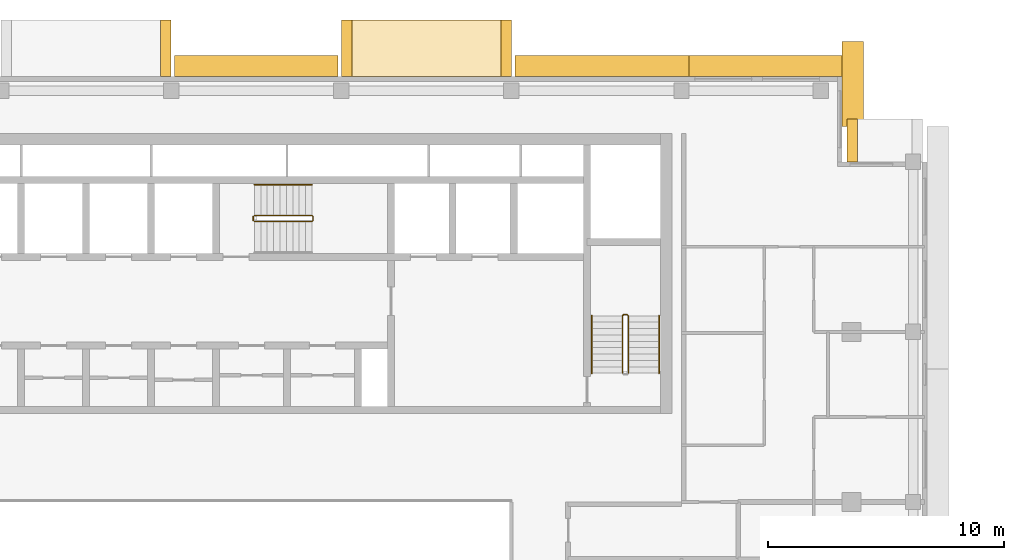
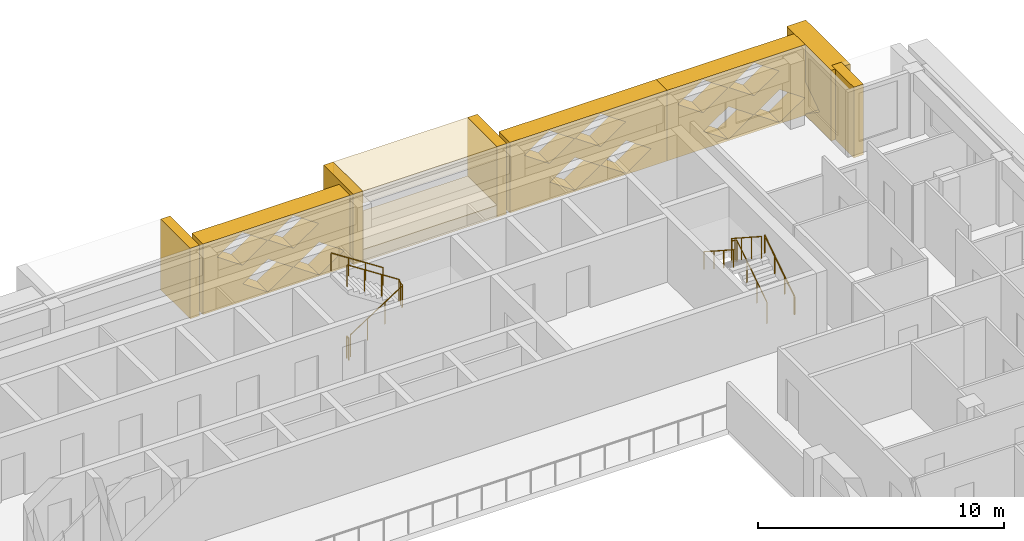
# One storey, part 18 of 19: 10 coverings, 6 railings.
"""IFC4 building model written with IfcOpenShell, lengths in metres."""

from ifc_helpers import new_model, si_unit, direction, frame, origin, origin_2d, place, context, subcontext, project, spatial, polyline, circle, outline, extrude, material, type_object, element, save


model = new_model("IFC4")

# Units and contexts
model_context = context("Model", 3, precision=1e-05, world=origin(), true_north=direction((0.0, 1.0)))
body_context = subcontext(model_context, "Body", "Model", "MODEL_VIEW")
ifc_project = project(units=[si_unit("LENGTHUNIT", "METRE"), si_unit("AREAUNIT", "SQUARE_METRE"), si_unit("VOLUMEUNIT", "CUBIC_METRE"), si_unit("PLANEANGLEUNIT", "RADIAN"), si_unit("MASSUNIT", "GRAM", prefix="KILO")], contexts=[model_context])

# Site, building, storey
site_placement = place(None, origin())
site = spatial("IfcSite", under=ifc_project, at=site_placement, CompositionType="ELEMENT")
building_placement = place(site_placement, origin())
building = spatial("IfcBuilding", under=site, at=building_placement, Name="Saffron Iwan Residences", CompositionType="ELEMENT")
storey_placement = place(building_placement, frame((0.0, 0.0, 232.5)))
storey = spatial("IfcBuildingStorey", under=building, at=storey_placement, Name="L62", CompositionType="ELEMENT", Elevation=232.5)

# Coverings
ifc_material_1 = material(Name="Precast concrete C40/50", Category="concrete")
covering_type_1 = type_object("IfcCoveringType", Name="OUTER SKIN LATTICE SCREEN", PredefinedType="CLADDING", material=ifc_material_1)
covering_1_placement = place(storey_placement, frame((78.800048828125, 78.300048828125, -0.280029296875), z_axis=(1.0, 0.0, 0.0), x_axis=(0.0, 1.0, 0.0)))
element("IfcCovering", 1, at=covering_1_placement, inside=storey, type_object=covering_type_1, Name="OUTER SKIN lattice screen L62 F4.0", PredefinedType="CLADDING", context=body_context, shape_type="SweptSolid", body=[
    extrude(outline(polyline([(0.0, 0.0), (3.60009765625, 0.0), (3.60009765625, 3.5), (0.0, 3.5), (0.0, 0.0)]), holes=[polyline([(0.919921875, 0.875), (2.10009765625, 0.06005859375), (3.280029296875, 0.875), (2.10009765625, 1.68994140625), (0.919921875, 0.875)])]), origin(), (0.0, 0.0, 1.0), 0.89990234375),
])
covering_2_placement = place(storey_placement, frame((79.699951171875, 80.39990234375, -0.280029296875), z_axis=(0.0, 1.0, 0.0), x_axis=(-1.0, 0.0, 0.0)))
element("IfcCovering", 2, at=covering_2_placement, inside=storey, type_object=covering_type_1, Name="OUTER SKIN lattice screen L62 F5.0", PredefinedType="CLADDING", context=body_context, shape_type="SweptSolid", body=[
    extrude(outline(polyline([(0.0, 0.0), (7.375, 0.0), (7.375, 3.5), (0.0, 3.5), (0.0, 0.0)]), holes=[polyline([(0.919921875, 0.875), (2.10009765625, 0.06005859375), (3.280029296875, 0.875), (2.10009765625, 1.68994140625), (0.919921875, 0.875)]), polyline([(3.320068359375, 0.875), (4.5, 0.06005859375), (5.679931640625, 0.875), (4.5, 1.68994140625), (3.320068359375, 0.875)]), polyline([(2.1201171875, 2.625), (3.300048828125, 1.81005859375), (4.47998046875, 2.625), (3.300048828125, 3.43994140625), (2.1201171875, 2.625)]), polyline([(4.52001953125, 2.625), (5.699951171875, 1.81005859375), (6.8798828125, 2.625), (5.699951171875, 3.43994140625), (4.52001953125, 2.625)])]), origin(), (0.0, 0.0, 1.0), 0.900146484375),
])
covering_3_placement = place(storey_placement, frame((72.324951171875, 80.39990234375, -0.280029296875), z_axis=(0.0, 1.0, 0.0), x_axis=(-1.0, 0.0, 0.0)))
element("IfcCovering", 3, at=covering_3_placement, inside=storey, type_object=covering_type_1, Name="OUTER SKIN lattice screen L62 F5.1", PredefinedType="CLADDING", context=body_context, shape_type="SweptSolid", body=[
    extrude(outline(polyline([(0.0, 0.0), (7.375, 0.0), (7.375, 3.5), (0.0, 3.5), (0.0, 0.0)]), holes=[polyline([(0.7451171875, 0.875), (1.925048828125, 0.06005859375), (3.10498046875, 0.875), (1.925048828125, 1.68994140625), (0.7451171875, 0.875)]), polyline([(3.14501953125, 0.875), (4.324951171875, 0.06005859375), (5.5048828125, 0.875), (4.324951171875, 1.68994140625), (3.14501953125, 0.875)]), polyline([(1.945068359375, 2.625), (3.125, 1.81005859375), (4.304931640625, 2.625), (3.125, 3.43994140625), (1.945068359375, 2.625)]), polyline([(4.344970703125, 2.625), (5.52490234375, 1.81005859375), (6.705078125, 2.625), (5.52490234375, 3.43994140625), (4.344970703125, 2.625)])]), origin(), (0.0, 0.0, 1.0), 0.900146484375),
])
covering_4_placement = place(storey_placement, frame((57.449951171875, 80.39990234375, -0.280029296875), z_axis=(0.0, 1.0, 0.0), x_axis=(-1.0, 0.0, 0.0)))
element("IfcCovering", 4, at=covering_4_placement, inside=storey, type_object=covering_type_1, Name="OUTER SKIN lattice screen L62 F5.2", PredefinedType="CLADDING", context=body_context, shape_type="SweptSolid", body=[
    extrude(outline(polyline([(0.0, 0.0), (6.89990234375, 0.0), (6.89990234375, 3.5), (0.0, 3.5), (0.0, 0.0)]), holes=[polyline([(0.27001953125, 0.875), (1.449951171875, 0.06005859375), (2.6298828125, 0.875), (1.449951171875, 1.68994140625), (0.27001953125, 0.875)]), polyline([(2.669921875, 0.875), (3.85009765625, 0.06005859375), (5.030029296875, 0.875), (3.85009765625, 1.68994140625), (2.669921875, 0.875)]), polyline([(1.469970703125, 2.625), (2.64990234375, 1.81005859375), (3.830078125, 2.625), (2.64990234375, 3.43994140625), (1.469970703125, 2.625)]), polyline([(3.8701171875, 2.625), (5.050048828125, 1.81005859375), (6.22998046875, 2.625), (5.050048828125, 3.43994140625), (3.8701171875, 2.625)])]), origin(), (0.0, 0.0, 1.0), 0.900146484375),
])

# Railings
ifc_material_2 = material(Name="Steel S355", Category="steel")
railing_type_1 = type_object("IfcRailingType", Name="Stair guard 1100", PredefinedType="GUARDRAIL", material=ifc_material_2)
railing_1_placement = place(storey_placement, frame((53.925048828125, 74.27490234375, 0.175048828125)))
element("IfcRailing", 5, at=railing_1_placement, inside=storey, type_object=railing_type_1, Name="L62 ST-C stair guard 1", PredefinedType="GUARDRAIL", context=body_context, shape_type="SweptSolid", body=[
    extrude(circle(Radius=0.02392578125, at=origin_2d()), frame((0.0, 0.0, 1.076171875), z_axis=(0.839153699163, 0.0, 0.543894354798), x_axis=(0.0, 1.0, 0.0)), (0.0, 0.0, 1.0), 2.895751953125),
    extrude(circle(Radius=0.02392578125, at=origin_2d()), frame((2.429931640625, 0.0, 2.65087890625), z_axis=(0.707106781187, 0.707106781187, 0.0), x_axis=(-0.707106781187, 0.707106781187, 0.0)), (0.0, 0.0, 1.0), 0.07080078125),
    extrude(circle(Radius=0.02392578125, at=origin_2d()), frame((2.47998046875, 0.050048828125, 2.65087890625), z_axis=(0.0, 1.0, 0.0), x_axis=(-1.0, 0.0, 0.0)), (0.0, 0.0, 1.0), 0.150146484375),
    extrude(circle(Radius=0.02392578125, at=origin_2d()), frame((2.47998046875, 0.2001953125, 2.65087890625), z_axis=(-0.265155923931, 0.263862480399, 0.927399011991), x_axis=(-0.705375805398, -0.708833529934, 0.0)), (0.0, 0.0, 1.0), 0.188720703125),
    extrude(circle(Radius=0.02392578125, at=origin_2d()), frame((2.429931640625, 0.25, 2.826171875), z_axis=(-0.839153699163, 0.0, 0.543894354798), x_axis=(0.0, -1.0, 0.0)), (0.0, 0.0, 1.0), 2.895751953125),
    extrude(circle(Radius=0.02099609375, at=origin_2d()), origin(), (0.0, 0.0, 1.0), 1.052001953125),
    extrude(circle(Radius=0.02099609375, at=origin_2d()), frame((0.81005859375, 0.0, 0.52490234375)), (0.0, 0.0, 1.0), 1.052001953125),
    extrude(circle(Radius=0.02099609375, at=origin_2d()), frame((1.619873046875, 0.0, 1.050048828125)), (0.0, 0.0, 1.0), 1.052001953125),
    extrude(circle(Radius=0.02099609375, at=origin_2d()), frame((2.429931640625, 0.0, 1.574951171875)), (0.0, 0.0, 1.0), 1.052001953125),
    extrude(circle(Radius=0.02099609375, at=origin_2d()), frame((2.47998046875, 0.050048828125, 1.574951171875)), (0.0, 0.0, 1.0), 1.052001953125),
    extrude(circle(Radius=0.02099609375, at=origin_2d()), frame((2.47998046875, 0.2001953125, 1.574951171875)), (0.0, 0.0, 1.0), 1.052001953125),
    extrude(circle(Radius=0.02099609375, at=origin_2d()), frame((2.429931640625, 0.25, 1.75)), (0.0, 0.0, 1.0), 1.052001953125),
    extrude(circle(Radius=0.02099609375, at=origin_2d()), frame((1.619873046875, 0.25, 2.27490234375)), (0.0, 0.0, 1.0), 1.052001953125),
    extrude(circle(Radius=0.02099609375, at=origin_2d()), frame((0.81005859375, 0.25, 2.800048828125)), (0.0, 0.0, 1.0), 1.052001953125),
    extrude(circle(Radius=0.02099609375, at=origin_2d()), frame((0.0, 0.25, 3.324951171875)), (0.0, 0.0, 1.0), 1.052001953125),
])
railing_2_placement = place(storey_placement, frame((53.875, 74.324951171875, 0.0)))
element("IfcRailing", 6, at=railing_2_placement, inside=storey, type_object=railing_type_1, Name="L62 ST-C stair guard 2", PredefinedType="GUARDRAIL", context=body_context, shape_type="SweptSolid", body=[
    extrude(circle(Radius=0.02392578125, at=origin_2d()), frame((0.0, 0.0, 1.076171875), z_axis=(0.0, 1.0, 0.0), x_axis=(-1.0, 0.0, 0.0)), (0.0, 0.0, 1.0), 0.150146484375),
    extrude(circle(Radius=0.02099609375, at=origin_2d()), origin(), (0.0, 0.0, 1.0), 1.052001953125),
    extrude(circle(Radius=0.02099609375, at=origin_2d()), frame((0.0, 0.150146484375, 0.0)), (0.0, 0.0, 1.0), 1.052001953125),
])
railing_3_placement = place(storey_placement, frame((69.75, 67.85009765625, 0.175048828125)))
element("IfcRailing", 7, at=railing_3_placement, inside=storey, type_object=railing_type_1, Name="L62 ST-E stair guard 1", PredefinedType="GUARDRAIL", context=body_context, shape_type="SweptSolid", body=[
    extrude(circle(Radius=0.02392578125, at=origin_2d()), frame((0.0, 0.0, 1.076171875), z_axis=(0.0, 0.839153699163, 0.543894354798), x_axis=(-1.0, 0.0, 0.0)), (0.0, 0.0, 1.0), 2.895751953125),
    extrude(circle(Radius=0.02392578125, at=origin_2d()), frame((0.0, 2.429931640625, 2.65087890625), z_axis=(-0.707106781187, 0.707106781187, 0.0), x_axis=(-0.707106781187, -0.707106781187, 0.0)), (0.0, 0.0, 1.0), 0.07080078125),
    extrude(circle(Radius=0.02392578125, at=origin_2d()), frame((-0.050048828125, 2.47998046875, 2.65087890625), z_axis=(-1.0, 0.0, 0.0), x_axis=(0.0, -1.0, 0.0)), (0.0, 0.0, 1.0), 0.14990234375),
    extrude(circle(Radius=0.02392578125, at=origin_2d()), frame((-0.199951171875, 2.47998046875, 2.65087890625), z_axis=(-0.265065253269, -0.265065253269, 0.927081885822), x_axis=(0.707106781187, -0.707106781187, 0.0)), (0.0, 0.0, 1.0), 0.188720703125),
    extrude(circle(Radius=0.02392578125, at=origin_2d()), frame((-0.25, 2.429931640625, 2.826171875), z_axis=(0.0, -0.839153699163, 0.543894354798), x_axis=(1.0, 0.0, 0.0)), (0.0, 0.0, 1.0), 2.895751953125),
    extrude(circle(Radius=0.02099609375, at=origin_2d()), origin(), (0.0, 0.0, 1.0), 1.052001953125),
    extrude(circle(Radius=0.02099609375, at=origin_2d()), frame((0.0, 0.81005859375, 0.52490234375)), (0.0, 0.0, 1.0), 1.052001953125),
    extrude(circle(Radius=0.02099609375, at=origin_2d()), frame((0.0, 1.619873046875, 1.050048828125)), (0.0, 0.0, 1.0), 1.052001953125),
    extrude(circle(Radius=0.02099609375, at=origin_2d()), frame((0.0, 2.429931640625, 1.574951171875)), (0.0, 0.0, 1.0), 1.052001953125),
    extrude(circle(Radius=0.02099609375, at=origin_2d()), frame((-0.050048828125, 2.47998046875, 1.574951171875)), (0.0, 0.0, 1.0), 1.052001953125),
    extrude(circle(Radius=0.02099609375, at=origin_2d()), frame((-0.199951171875, 2.47998046875, 1.574951171875)), (0.0, 0.0, 1.0), 1.052001953125),
    extrude(circle(Radius=0.02099609375, at=origin_2d()), frame((-0.25, 2.429931640625, 1.75)), (0.0, 0.0, 1.0), 1.052001953125),
    extrude(circle(Radius=0.02099609375, at=origin_2d()), frame((-0.25, 1.619873046875, 2.27490234375)), (0.0, 0.0, 1.0), 1.052001953125),
    extrude(circle(Radius=0.02099609375, at=origin_2d()), frame((-0.25, 0.81005859375, 2.800048828125)), (0.0, 0.0, 1.0), 1.052001953125),
    extrude(circle(Radius=0.02099609375, at=origin_2d()), frame((-0.25, 0.0, 3.324951171875)), (0.0, 0.0, 1.0), 1.052001953125),
])
ifc_material_3 = material(Name="Stainless steel 316", Category="steel")
railing_type_2 = type_object("IfcRailingType", Name="Stair handrail 900", PredefinedType="HANDRAIL", material=ifc_material_3)
railing_4_placement = place(storey_placement, frame((56.35498046875, 75.824951171875, 1.925048828125)))
element("IfcRailing", 8, at=railing_4_placement, inside=storey, type_object=railing_type_2, Name="L62 ST-C stair handrail 2", PredefinedType="HANDRAIL", context=body_context, shape_type="SweptSolid", body=[
    extrude(circle(Radius=0.02392578125, at=origin_2d()), frame((0.0, 0.0, 0.8759765625), z_axis=(-0.839153699163, 0.0, 0.543894354798), x_axis=(0.0, -1.0, 0.0)), (0.0, 0.0, 1.0), 2.895751953125),
    extrude(circle(Radius=0.02099609375, at=origin_2d()), origin(), (0.0, 0.0, 1.0), 0.851806640625),
    extrude(circle(Radius=0.02099609375, at=origin_2d()), frame((-0.81005859375, 0.0, 0.52490234375)), (0.0, 0.0, 1.0), 0.851806640625),
    extrude(circle(Radius=0.02099609375, at=origin_2d()), frame((-1.619873046875, 0.0, 1.050048828125)), (0.0, 0.0, 1.0), 0.851806640625),
    extrude(circle(Radius=0.02099609375, at=origin_2d()), frame((-2.429931640625, 0.0, 1.574951171875)), (0.0, 0.0, 1.0), 0.851806640625),
])
railing_5_placement = place(storey_placement, frame((71.050048828125, 67.85009765625, 0.175048828125)))
element("IfcRailing", 9, at=railing_5_placement, inside=storey, type_object=railing_type_2, Name="L62 ST-E stair handrail 1", PredefinedType="HANDRAIL", context=body_context, shape_type="SweptSolid", body=[
    extrude(circle(Radius=0.02392578125, at=origin_2d()), frame((0.0, 0.0, 0.8759765625), z_axis=(0.0, 0.839153699163, 0.543894354798), x_axis=(-1.0, 0.0, 0.0)), (0.0, 0.0, 1.0), 2.895751953125),
    extrude(circle(Radius=0.02099609375, at=origin_2d()), origin(), (0.0, 0.0, 1.0), 0.851806640625),
    extrude(circle(Radius=0.02099609375, at=origin_2d()), frame((0.0, 0.81005859375, 0.52490234375)), (0.0, 0.0, 1.0), 0.851806640625),
    extrude(circle(Radius=0.02099609375, at=origin_2d()), frame((0.0, 1.619873046875, 1.050048828125)), (0.0, 0.0, 1.0), 0.851806640625),
    extrude(circle(Radius=0.02099609375, at=origin_2d()), frame((0.0, 2.429931640625, 1.574951171875)), (0.0, 0.0, 1.0), 0.851806640625),
])
railing_6_placement = place(storey_placement, frame((68.199951171875, 70.280029296875, 1.925048828125)))
element("IfcRailing", 10, at=railing_6_placement, inside=storey, type_object=railing_type_2, Name="L62 ST-E stair handrail 2", PredefinedType="HANDRAIL", context=body_context, shape_type="SweptSolid", body=[
    extrude(circle(Radius=0.02392578125, at=origin_2d()), frame((0.0, 0.0, 0.8759765625), z_axis=(0.0, -0.839153699163, 0.543894354798), x_axis=(1.0, 0.0, 0.0)), (0.0, 0.0, 1.0), 2.895751953125),
    extrude(circle(Radius=0.02099609375, at=origin_2d()), origin(), (0.0, 0.0, 1.0), 0.851806640625),
    extrude(circle(Radius=0.02099609375, at=origin_2d()), frame((0.0, -0.81005859375, 0.52490234375)), (0.0, 0.0, 1.0), 0.851806640625),
    extrude(circle(Radius=0.02099609375, at=origin_2d()), frame((0.0, -1.619873046875, 1.050048828125)), (0.0, 0.0, 1.0), 0.851806640625),
    extrude(circle(Radius=0.02099609375, at=origin_2d()), frame((0.0, -2.429931640625, 1.574951171875)), (0.0, 0.0, 1.0), 0.851806640625),
])

# Coverings
ifc_material_4 = material(Name="Precast concrete C40/50 white painted", Category="concrete")
covering_type_2 = type_object("IfcCoveringType", Name="WHITE SUN FRAME PRECAST", PredefinedType="CLADDING", material=ifc_material_4)
covering_5_placement = place(storey_placement, frame((79.449951171875, 76.800048828125, -0.280029296875), z_axis=(0.0, 1.0, 0.0), x_axis=(-1.0, 0.0, 0.0)))
element("IfcCovering", 11, at=covering_5_placement, inside=storey, type_object=covering_type_2, Name="Sun frame L62 F3 0.2b", PredefinedType="CLADDING", context=body_context, shape_type="SweptSolid", body=[
    extrude(outline(polyline([(0.0, 0.0), (0.449951171875, 0.0), (0.449951171875, 3.5), (0.0, 3.5), (0.0, 0.0)])), origin(), (0.0, 0.0, 1.0), 1.800048828125),
])
for number, where, z_axis, x_axis, name in (
    (12, (64.800048828125, 80.39990234375, -0.280029296875), (0.0, 1.0, 0.0), (-1.0, 0.0, 0.0), "Sun frame L62 F5 14.0a"),
    (13, (58.050048828125, 80.39990234375, -0.280029296875), (0.0, 1.0, 0.0), (-1.0, 0.0, 0.0), "Sun frame L62 F5 14.0b"),
):
    element("IfcCovering", number, at=place(storey_placement, frame(where, z_axis=z_axis, x_axis=x_axis)), inside=storey, type_object=covering_type_2, Name=name, PredefinedType="CLADDING", context=body_context, shape_type="SweptSolid", body=[
        extrude(outline(polyline([(0.0, 0.0), (0.449951171875, 0.0), (0.449951171875, 3.5), (0.0, 3.5), (0.0, 0.0)])), origin(), (0.0, 0.0, 1.0), 2.400146484375),
    ])
for number, where, z_axis, x_axis, name in (
    (14, (64.35009765625, 80.39990234375, 2.6201171875), (0.0, 1.0, 0.0), (-1.0, 0.0, 0.0), "Sun frame L62 F5 14.0h"),
    (15, (64.35009765625, 80.39990234375, -0.280029296875), (0.0, 1.0, 0.0), (-1.0, 0.0, 0.0), "Sun frame L62 F5 14.0s"),
):
    element("IfcCovering", number, at=place(storey_placement, frame(where, z_axis=z_axis, x_axis=x_axis)), inside=storey, type_object=covering_type_2, Name=name, PredefinedType="CLADDING", context=body_context, shape_type="SweptSolid", body=[
        extrude(outline(polyline([(0.0, 0.0), (6.300048828125, 0.0), (6.300048828125, 0.60009765625), (0.0, 0.60009765625), (0.0, 0.0)])), origin(), (0.0, 0.0, 1.0), 2.400146484375),
    ])
covering_6_placement = place(storey_placement, frame((50.39990234375, 80.39990234375, -0.280029296875), z_axis=(0.0, 1.0, 0.0), x_axis=(-1.0, 0.0, 0.0)))
element("IfcCovering", 16, at=covering_6_placement, inside=storey, type_object=covering_type_2, Name="Sun frame L62 F5 28.4a", PredefinedType="CLADDING", context=body_context, shape_type="SweptSolid", body=[
    extrude(outline(polyline([(0.0, 0.0), (0.449951171875, 0.0), (0.449951171875, 3.5), (0.0, 3.5), (0.0, 0.0)])), origin(), (0.0, 0.0, 1.0), 2.400146484375),
])

save(model, "model.ifc")
